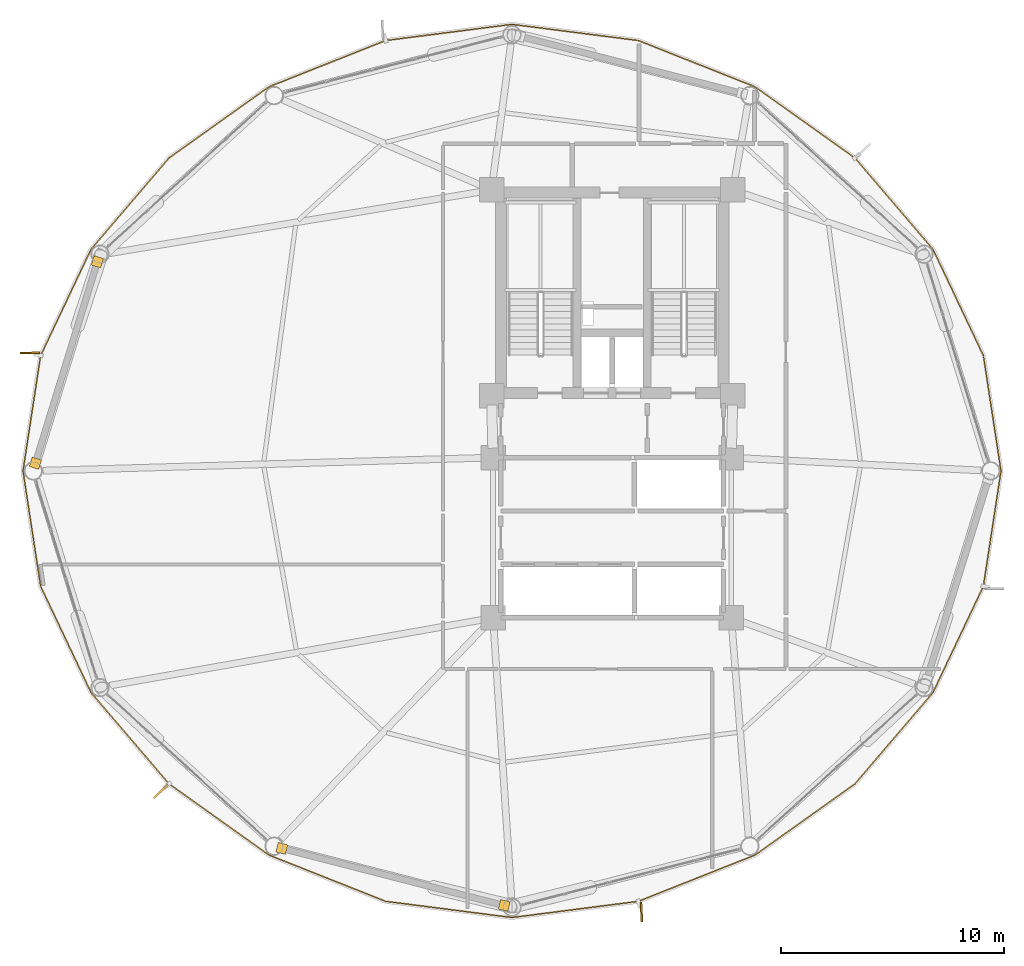
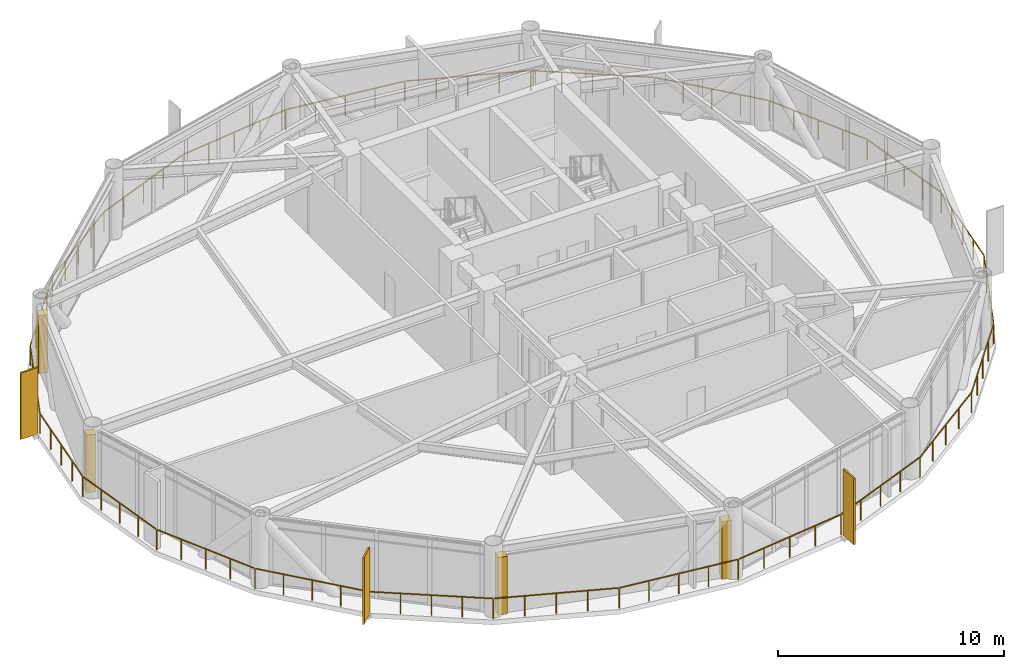
# One storey, part 21 of 23: 4 coverings, 3 shading devices, 1 railing.
"""IFC4 building model written with IfcOpenShell, lengths in metres."""

from ifc_helpers import new_model, si_unit, direction, frame, origin, origin_2d, place, context, subcontext, project, spatial, rectangle, extrude, source, transform, mapped, material, layer, layer_set, type_object, type_shapes, element, save


model = new_model("IFC4")

# Units and contexts
model_context = context("Model", 3, precision=1e-05, world=origin(), true_north=direction((0.0, 1.0)))
body_context = subcontext(model_context, "Body", "Model", "MODEL_VIEW")
ifc_project = project(units=[si_unit("LENGTHUNIT", "METRE"), si_unit("AREAUNIT", "SQUARE_METRE"), si_unit("VOLUMEUNIT", "CUBIC_METRE"), si_unit("PLANEANGLEUNIT", "RADIAN"), si_unit("MASSUNIT", "GRAM", prefix="KILO")], contexts=[model_context])

# Site, building, storey
site_placement = place(None, origin())
site = spatial("IfcSite", under=ifc_project, at=site_placement, CompositionType="ELEMENT")
building_placement = place(site_placement, origin())
building = spatial("IfcBuilding", under=site, at=building_placement, Name="Varnakorn Sky Granary", CompositionType="ELEMENT")
storey_placement = place(building_placement, frame((0.0, 0.0, 107.10009765625)))
storey = spatial("IfcBuildingStorey", under=building, at=storey_placement, Name="L26", CompositionType="ELEMENT", Elevation=107.10009765625)

# Railing
ifc_material = material(Name="Anodised Bronze Aluminium Alloy 6063-T6", Category="aluminium")
railing_type = type_object("IfcRailingType", Name="RL-BAL-1120", PredefinedType="BALUSTRADE", material=ifc_material)
railing_placement = place(storey_placement, frame((20.4658203125, 0.0, 0.0)))
element("IfcRailing", 1, at=railing_placement, inside=storey, type_object=railing_type, Name="Perimeter Slab-Edge Safety Guard L26", PredefinedType="BALUSTRADE", context=body_context, shape_type="SweptSolid", body=[
    extrude(rectangle(XDim=0.048095703125, YDim=0.048095703125, at=origin_2d()), frame((-0.004150390625, -0.027587890625, 1.09619140625), z_axis=(-0.150995661582, -0.988534425391, 0.0), x_axis=(0.988534425391, -0.150995661582, 0.0)), (0.0, 0.0, 1.0), 5.18115234375),
    extrude(rectangle(XDim=0.048095703125, YDim=0.048095703125, at=origin_2d()), frame((-0.802734375, -5.202392578125, 1.09619140625), z_axis=(-0.428252935319, -0.903658908765, 0.0), x_axis=(0.903658908765, -0.428252935319, 0.0)), (0.0, 0.0, 1.0), 5.235595703125),
    extrude(rectangle(XDim=0.048095703125, YDim=0.048095703125, at=origin_2d()), frame((-3.0751953125, -9.97998046875, 1.09619140625), z_axis=(-0.649641376814, -0.760240804963, 0.0), x_axis=(0.760240804963, -0.649641376814, 0.0)), (0.0, 0.0, 1.0), 5.332275390625),
    extrude(rectangle(XDim=0.048095703125, YDim=0.048095703125, at=origin_2d()), frame((-6.580078125, -14.071533203125, 1.09619140625), z_axis=(-0.814358241471, -0.580362519937, 0.0), x_axis=(0.580362519937, -0.814358241471, 0.0)), (0.0, 0.0, 1.0), 5.458251953125),
    extrude(rectangle(XDim=0.048095703125, YDim=0.048095703125, at=origin_2d()), frame((-11.073974609375, -17.265625, 1.09619140625), z_axis=(-0.929618558075, -0.368523183101, 0.0), x_axis=(0.368523183101, -0.929618558075, 0.0)), (0.0, 0.0, 1.0), 5.58447265625),
    extrude(rectangle(XDim=0.048095703125, YDim=0.048095703125, at=origin_2d()), frame((-16.319091796875, -19.337646484375, 1.09619140625), z_axis=(-0.991886356563, -0.127127713987, 0.0), x_axis=(0.127127713987, -0.991886356563, 0.0)), (0.0, 0.0, 1.0), 5.6650390625),
    extrude(rectangle(XDim=0.048095703125, YDim=0.048095703125, at=origin_2d()), frame((-21.99365234375, -20.0576171875, 1.09619140625), z_axis=(-0.991886356563, 0.127127713987, 0.0), x_axis=(-0.127127713987, -0.991886356563, 0.0)), (0.0, 0.0, 1.0), 5.6650390625),
    extrude(rectangle(XDim=0.048095703125, YDim=0.048095703125, at=origin_2d()), frame((-27.66650390625, -19.32373046875, 1.09619140625), z_axis=(-0.929618558075, 0.368523183101, 0.0), x_axis=(-0.368523183101, -0.929618558075, 0.0)), (0.0, 0.0, 1.0), 5.58447265625),
    extrude(rectangle(XDim=0.048095703125, YDim=0.048095703125, at=origin_2d()), frame((-32.906494140625, -17.239013671875, 1.09619140625), z_axis=(-0.814358241471, 0.580362519937, 0.0), x_axis=(-0.580362519937, -0.814358241471, 0.0)), (0.0, 0.0, 1.0), 5.458251953125),
    extrude(rectangle(XDim=0.048095703125, YDim=0.048095703125, at=origin_2d()), frame((-37.392578125, -14.033935546875, 1.09619140625), z_axis=(-0.649641376814, 0.760240804963, 0.0), x_axis=(-0.760240804963, -0.649641376814, 0.0)), (0.0, 0.0, 1.0), 5.332275390625),
    extrude(rectangle(XDim=0.048095703125, YDim=0.048095703125, at=origin_2d()), frame((-40.88671875, -9.933349609375, 1.09619140625), z_axis=(-0.428252935319, 0.903658908765, 0.0), x_axis=(-0.903658908765, -0.428252935319, 0.0)), (0.0, 0.0, 1.0), 5.235595703125),
    extrude(rectangle(XDim=0.048095703125, YDim=0.048095703125, at=origin_2d()), frame((-43.14501953125, -5.1494140625, 1.09619140625), z_axis=(-0.150995661582, 0.988534425391, 0.0), x_axis=(-0.988534425391, -0.150995661582, 0.0)), (0.0, 0.0, 1.0), 5.18115234375),
    extrude(rectangle(XDim=0.048095703125, YDim=0.048095703125, at=origin_2d()), frame((-43.927490234375, 0.027587890625, 1.09619140625), z_axis=(0.150995661582, 0.988534425391, 0.0), x_axis=(-0.988534425391, 0.150995661582, 0.0)), (0.0, 0.0, 1.0), 5.18115234375),
    extrude(rectangle(XDim=0.048095703125, YDim=0.048095703125, at=origin_2d()), frame((-43.12890625, 5.202392578125, 1.09619140625), z_axis=(0.428252935319, 0.903658908765, 0.0), x_axis=(-0.903658908765, 0.428252935319, 0.0)), (0.0, 0.0, 1.0), 5.235595703125),
    extrude(rectangle(XDim=0.048095703125, YDim=0.048095703125, at=origin_2d()), frame((-40.8564453125, 9.97998046875, 1.09619140625), z_axis=(0.649641376814, 0.760240804963, 0.0), x_axis=(-0.760240804963, 0.649641376814, 0.0)), (0.0, 0.0, 1.0), 5.332275390625),
    extrude(rectangle(XDim=0.048095703125, YDim=0.048095703125, at=origin_2d()), frame((-37.3515625, 14.071533203125, 1.09619140625), z_axis=(0.814358241471, 0.580362519937, 0.0), x_axis=(-0.580362519937, 0.814358241471, 0.0)), (0.0, 0.0, 1.0), 5.458251953125),
    extrude(rectangle(XDim=0.048095703125, YDim=0.048095703125, at=origin_2d()), frame((-32.857666015625, 17.265625, 1.09619140625), z_axis=(0.929618558075, 0.368523183101, 0.0), x_axis=(-0.368523183101, 0.929618558075, 0.0)), (0.0, 0.0, 1.0), 5.58447265625),
    extrude(rectangle(XDim=0.048095703125, YDim=0.048095703125, at=origin_2d()), frame((-27.612548828125, 19.337646484375, 1.09619140625), z_axis=(0.991886356563, 0.127127713987, 0.0), x_axis=(-0.127127713987, 0.991886356563, 0.0)), (0.0, 0.0, 1.0), 5.6650390625),
    extrude(rectangle(XDim=0.048095703125, YDim=0.048095703125, at=origin_2d()), frame((-21.93798828125, 20.0576171875, 1.09619140625), z_axis=(0.991886356563, -0.127127713987, 0.0), x_axis=(0.127127713987, 0.991886356563, 0.0)), (0.0, 0.0, 1.0), 5.6650390625),
    extrude(rectangle(XDim=0.048095703125, YDim=0.048095703125, at=origin_2d()), frame((-16.26513671875, 19.32373046875, 1.09619140625), z_axis=(0.929618558075, -0.368523183101, 0.0), x_axis=(0.368523183101, 0.929618558075, 0.0)), (0.0, 0.0, 1.0), 5.58447265625),
    extrude(rectangle(XDim=0.048095703125, YDim=0.048095703125, at=origin_2d()), frame((-11.025146484375, 17.239013671875, 1.09619140625), z_axis=(0.814358241471, -0.580362519937, 0.0), x_axis=(0.580362519937, 0.814358241471, 0.0)), (0.0, 0.0, 1.0), 5.458251953125),
    extrude(rectangle(XDim=0.048095703125, YDim=0.048095703125, at=origin_2d()), frame((-6.5390625, 14.033935546875, 1.09619140625), z_axis=(0.649641376814, -0.760240804963, 0.0), x_axis=(0.760240804963, 0.649641376814, 0.0)), (0.0, 0.0, 1.0), 5.332275390625),
    extrude(rectangle(XDim=0.048095703125, YDim=0.048095703125, at=origin_2d()), frame((-3.044921875, 9.933349609375, 1.09619140625), z_axis=(0.428252935319, -0.903658908765, 0.0), x_axis=(0.903658908765, 0.428252935319, 0.0)), (0.0, 0.0, 1.0), 5.235595703125),
    extrude(rectangle(XDim=0.048095703125, YDim=0.048095703125, at=origin_2d()), frame((-0.78662109375, 5.1494140625, 1.09619140625), z_axis=(0.150995661582, -0.988534425391, 0.0), x_axis=(0.988534425391, 0.150995661582, 0.0)), (0.0, 0.0, 1.0), 5.18115234375),
    extrude(rectangle(XDim=0.0419921875, YDim=0.0419921875, at=origin_2d()), origin(), (0.0, 0.0, 1.0), 1.068115234375),
    extrude(rectangle(XDim=0.0419921875, YDim=0.0419921875, at=origin_2d()), frame((-0.19775390625, -1.294189453125, 0.0)), (0.0, 0.0, 1.0), 1.068115234375),
    extrude(rectangle(XDim=0.0419921875, YDim=0.0419921875, at=origin_2d()), frame((-0.3955078125, -2.58837890625, 0.0)), (0.0, 0.0, 1.0), 1.068115234375),
    extrude(rectangle(XDim=0.0419921875, YDim=0.0419921875, at=origin_2d()), frame((-0.593017578125, -3.8828125, 0.0)), (0.0, 0.0, 1.0), 1.068115234375),
    extrude(rectangle(XDim=0.0419921875, YDim=0.0419921875, at=origin_2d()), frame((-0.790771484375, -5.177001953125, 0.0)), (0.0, 0.0, 1.0), 1.068115234375),
    extrude(rectangle(XDim=0.0419921875, YDim=0.0419921875, at=origin_2d()), frame((-1.357421875, -6.37255859375, 0.0)), (0.0, 0.0, 1.0), 1.068115234375),
    extrude(rectangle(XDim=0.0419921875, YDim=0.0419921875, at=origin_2d()), frame((-1.923828125, -7.56787109375, 0.0)), (0.0, 0.0, 1.0), 1.068115234375),
    extrude(rectangle(XDim=0.0419921875, YDim=0.0419921875, at=origin_2d()), frame((-2.490234375, -8.76318359375, 0.0)), (0.0, 0.0, 1.0), 1.068115234375),
    extrude(rectangle(XDim=0.0419921875, YDim=0.0419921875, at=origin_2d()), frame((-3.056884765625, -9.958740234375, 0.0)), (0.0, 0.0, 1.0), 1.068115234375),
    extrude(rectangle(XDim=0.0419921875, YDim=0.0419921875, at=origin_2d()), frame((-3.93212890625, -10.98291015625, 0.0)), (0.0, 0.0, 1.0), 1.068115234375),
    extrude(rectangle(XDim=0.0419921875, YDim=0.0419921875, at=origin_2d()), frame((-4.80712890625, -12.0068359375, 0.0)), (0.0, 0.0, 1.0), 1.068115234375),
    extrude(rectangle(XDim=0.0419921875, YDim=0.0419921875, at=origin_2d()), frame((-5.68212890625, -13.031005859375, 0.0)), (0.0, 0.0, 1.0), 1.068115234375),
    extrude(rectangle(XDim=0.0419921875, YDim=0.0419921875, at=origin_2d()), frame((-6.557373046875, -14.05517578125, 0.0)), (0.0, 0.0, 1.0), 1.068115234375),
    extrude(rectangle(XDim=0.0419921875, YDim=0.0419921875, at=origin_2d()), frame((-7.679931640625, -14.855224609375, 0.0)), (0.0, 0.0, 1.0), 1.068115234375),
    extrude(rectangle(XDim=0.0419921875, YDim=0.0419921875, at=origin_2d()), frame((-8.802734375, -15.6552734375, 0.0)), (0.0, 0.0, 1.0), 1.068115234375),
    extrude(rectangle(XDim=0.0419921875, YDim=0.0419921875, at=origin_2d()), frame((-9.92529296875, -16.455322265625, 0.0)), (0.0, 0.0, 1.0), 1.068115234375),
    extrude(rectangle(XDim=0.0419921875, YDim=0.0419921875, at=origin_2d()), frame((-11.0478515625, -17.25537109375, 0.0)), (0.0, 0.0, 1.0), 1.068115234375),
    extrude(rectangle(XDim=0.0419921875, YDim=0.0419921875, at=origin_2d()), frame((-12.358642578125, -17.77490234375, 0.0)), (0.0, 0.0, 1.0), 1.068115234375),
    extrude(rectangle(XDim=0.0419921875, YDim=0.0419921875, at=origin_2d()), frame((-13.66943359375, -18.294677734375, 0.0)), (0.0, 0.0, 1.0), 1.068115234375),
    extrude(rectangle(XDim=0.0419921875, YDim=0.0419921875, at=origin_2d()), frame((-14.98046875, -18.814453125, 0.0)), (0.0, 0.0, 1.0), 1.068115234375),
    extrude(rectangle(XDim=0.0419921875, YDim=0.0419921875, at=origin_2d()), frame((-16.291259765625, -19.333984375, 0.0)), (0.0, 0.0, 1.0), 1.068115234375),
    extrude(rectangle(XDim=0.0419921875, YDim=0.0419921875, at=origin_2d()), frame((-17.7099609375, -19.515869140625, 0.0)), (0.0, 0.0, 1.0), 1.068115234375),
    extrude(rectangle(XDim=0.0419921875, YDim=0.0419921875, at=origin_2d()), frame((-19.12841796875, -19.69775390625, 0.0)), (0.0, 0.0, 1.0), 1.068115234375),
    extrude(rectangle(XDim=0.0419921875, YDim=0.0419921875, at=origin_2d()), frame((-20.547119140625, -19.87939453125, 0.0)), (0.0, 0.0, 1.0), 1.068115234375),
    extrude(rectangle(XDim=0.0419921875, YDim=0.0419921875, at=origin_2d()), frame((-21.9658203125, -20.061279296875, 0.0)), (0.0, 0.0, 1.0), 1.068115234375),
    extrude(rectangle(XDim=0.0419921875, YDim=0.0419921875, at=origin_2d()), frame((-23.384521484375, -19.87939453125, 0.0)), (0.0, 0.0, 1.0), 1.068115234375),
    extrude(rectangle(XDim=0.0419921875, YDim=0.0419921875, at=origin_2d()), frame((-24.80322265625, -19.69775390625, 0.0)), (0.0, 0.0, 1.0), 1.068115234375),
    extrude(rectangle(XDim=0.0419921875, YDim=0.0419921875, at=origin_2d()), frame((-26.2216796875, -19.515869140625, 0.0)), (0.0, 0.0, 1.0), 1.068115234375),
    extrude(rectangle(XDim=0.0419921875, YDim=0.0419921875, at=origin_2d()), frame((-27.640380859375, -19.333984375, 0.0)), (0.0, 0.0, 1.0), 1.068115234375),
    extrude(rectangle(XDim=0.0419921875, YDim=0.0419921875, at=origin_2d()), frame((-28.951171875, -18.814453125, 0.0)), (0.0, 0.0, 1.0), 1.068115234375),
    extrude(rectangle(XDim=0.0419921875, YDim=0.0419921875, at=origin_2d()), frame((-30.26220703125, -18.294677734375, 0.0)), (0.0, 0.0, 1.0), 1.068115234375),
    extrude(rectangle(XDim=0.0419921875, YDim=0.0419921875, at=origin_2d()), frame((-31.572998046875, -17.77490234375, 0.0)), (0.0, 0.0, 1.0), 1.068115234375),
    extrude(rectangle(XDim=0.0419921875, YDim=0.0419921875, at=origin_2d()), frame((-32.8837890625, -17.25537109375, 0.0)), (0.0, 0.0, 1.0), 1.068115234375),
    extrude(rectangle(XDim=0.0419921875, YDim=0.0419921875, at=origin_2d()), frame((-34.00634765625, -16.455322265625, 0.0)), (0.0, 0.0, 1.0), 1.068115234375),
    extrude(rectangle(XDim=0.0419921875, YDim=0.0419921875, at=origin_2d()), frame((-35.12890625, -15.6552734375, 0.0)), (0.0, 0.0, 1.0), 1.068115234375),
    extrude(rectangle(XDim=0.0419921875, YDim=0.0419921875, at=origin_2d()), frame((-36.251708984375, -14.855224609375, 0.0)), (0.0, 0.0, 1.0), 1.068115234375),
    extrude(rectangle(XDim=0.0419921875, YDim=0.0419921875, at=origin_2d()), frame((-37.374267578125, -14.05517578125, 0.0)), (0.0, 0.0, 1.0), 1.068115234375),
    extrude(rectangle(XDim=0.0419921875, YDim=0.0419921875, at=origin_2d()), frame((-38.24951171875, -13.031005859375, 0.0)), (0.0, 0.0, 1.0), 1.068115234375),
    extrude(rectangle(XDim=0.0419921875, YDim=0.0419921875, at=origin_2d()), frame((-39.12451171875, -12.0068359375, 0.0)), (0.0, 0.0, 1.0), 1.068115234375),
    extrude(rectangle(XDim=0.0419921875, YDim=0.0419921875, at=origin_2d()), frame((-39.99951171875, -10.98291015625, 0.0)), (0.0, 0.0, 1.0), 1.068115234375),
    extrude(rectangle(XDim=0.0419921875, YDim=0.0419921875, at=origin_2d()), frame((-40.874755859375, -9.958740234375, 0.0)), (0.0, 0.0, 1.0), 1.068115234375),
    extrude(rectangle(XDim=0.0419921875, YDim=0.0419921875, at=origin_2d()), frame((-41.44140625, -8.76318359375, 0.0)), (0.0, 0.0, 1.0), 1.068115234375),
    extrude(rectangle(XDim=0.0419921875, YDim=0.0419921875, at=origin_2d()), frame((-42.0078125, -7.56787109375, 0.0)), (0.0, 0.0, 1.0), 1.068115234375),
    extrude(rectangle(XDim=0.0419921875, YDim=0.0419921875, at=origin_2d()), frame((-42.57421875, -6.37255859375, 0.0)), (0.0, 0.0, 1.0), 1.068115234375),
    extrude(rectangle(XDim=0.0419921875, YDim=0.0419921875, at=origin_2d()), frame((-43.140869140625, -5.177001953125, 0.0)), (0.0, 0.0, 1.0), 1.068115234375),
    extrude(rectangle(XDim=0.0419921875, YDim=0.0419921875, at=origin_2d()), frame((-43.338623046875, -3.8828125, 0.0)), (0.0, 0.0, 1.0), 1.068115234375),
    extrude(rectangle(XDim=0.0419921875, YDim=0.0419921875, at=origin_2d()), frame((-43.5361328125, -2.58837890625, 0.0)), (0.0, 0.0, 1.0), 1.068115234375),
    extrude(rectangle(XDim=0.0419921875, YDim=0.0419921875, at=origin_2d()), frame((-43.73388671875, -1.294189453125, 0.0)), (0.0, 0.0, 1.0), 1.068115234375),
    extrude(rectangle(XDim=0.0419921875, YDim=0.0419921875, at=origin_2d()), frame((-43.931640625, 0.0, 0.0)), (0.0, 0.0, 1.0), 1.068115234375),
    extrude(rectangle(XDim=0.0419921875, YDim=0.0419921875, at=origin_2d()), frame((-43.73388671875, 1.294189453125, 0.0)), (0.0, 0.0, 1.0), 1.068115234375),
    extrude(rectangle(XDim=0.0419921875, YDim=0.0419921875, at=origin_2d()), frame((-43.5361328125, 2.58837890625, 0.0)), (0.0, 0.0, 1.0), 1.068115234375),
    extrude(rectangle(XDim=0.0419921875, YDim=0.0419921875, at=origin_2d()), frame((-43.338623046875, 3.8828125, 0.0)), (0.0, 0.0, 1.0), 1.068115234375),
    extrude(rectangle(XDim=0.0419921875, YDim=0.0419921875, at=origin_2d()), frame((-43.140869140625, 5.177001953125, 0.0)), (0.0, 0.0, 1.0), 1.068115234375),
    extrude(rectangle(XDim=0.0419921875, YDim=0.0419921875, at=origin_2d()), frame((-42.57421875, 6.37255859375, 0.0)), (0.0, 0.0, 1.0), 1.068115234375),
    extrude(rectangle(XDim=0.0419921875, YDim=0.0419921875, at=origin_2d()), frame((-42.0078125, 7.56787109375, 0.0)), (0.0, 0.0, 1.0), 1.068115234375),
    extrude(rectangle(XDim=0.0419921875, YDim=0.0419921875, at=origin_2d()), frame((-41.44140625, 8.76318359375, 0.0)), (0.0, 0.0, 1.0), 1.068115234375),
    extrude(rectangle(XDim=0.0419921875, YDim=0.0419921875, at=origin_2d()), frame((-40.874755859375, 9.958740234375, 0.0)), (0.0, 0.0, 1.0), 1.068115234375),
    extrude(rectangle(XDim=0.0419921875, YDim=0.0419921875, at=origin_2d()), frame((-39.99951171875, 10.98291015625, 0.0)), (0.0, 0.0, 1.0), 1.068115234375),
    extrude(rectangle(XDim=0.0419921875, YDim=0.0419921875, at=origin_2d()), frame((-39.12451171875, 12.0068359375, 0.0)), (0.0, 0.0, 1.0), 1.068115234375),
    extrude(rectangle(XDim=0.0419921875, YDim=0.0419921875, at=origin_2d()), frame((-38.24951171875, 13.031005859375, 0.0)), (0.0, 0.0, 1.0), 1.068115234375),
    extrude(rectangle(XDim=0.0419921875, YDim=0.0419921875, at=origin_2d()), frame((-37.374267578125, 14.05517578125, 0.0)), (0.0, 0.0, 1.0), 1.068115234375),
    extrude(rectangle(XDim=0.0419921875, YDim=0.0419921875, at=origin_2d()), frame((-36.251708984375, 14.855224609375, 0.0)), (0.0, 0.0, 1.0), 1.068115234375),
    extrude(rectangle(XDim=0.0419921875, YDim=0.0419921875, at=origin_2d()), frame((-35.12890625, 15.6552734375, 0.0)), (0.0, 0.0, 1.0), 1.068115234375),
    extrude(rectangle(XDim=0.0419921875, YDim=0.0419921875, at=origin_2d()), frame((-34.00634765625, 16.455322265625, 0.0)), (0.0, 0.0, 1.0), 1.068115234375),
    extrude(rectangle(XDim=0.0419921875, YDim=0.0419921875, at=origin_2d()), frame((-32.8837890625, 17.25537109375, 0.0)), (0.0, 0.0, 1.0), 1.068115234375),
    extrude(rectangle(XDim=0.0419921875, YDim=0.0419921875, at=origin_2d()), frame((-31.572998046875, 17.77490234375, 0.0)), (0.0, 0.0, 1.0), 1.068115234375),
    extrude(rectangle(XDim=0.0419921875, YDim=0.0419921875, at=origin_2d()), frame((-30.26220703125, 18.294677734375, 0.0)), (0.0, 0.0, 1.0), 1.068115234375),
    extrude(rectangle(XDim=0.0419921875, YDim=0.0419921875, at=origin_2d()), frame((-28.951171875, 18.814453125, 0.0)), (0.0, 0.0, 1.0), 1.068115234375),
    extrude(rectangle(XDim=0.0419921875, YDim=0.0419921875, at=origin_2d()), frame((-27.640380859375, 19.333984375, 0.0)), (0.0, 0.0, 1.0), 1.068115234375),
    extrude(rectangle(XDim=0.0419921875, YDim=0.0419921875, at=origin_2d()), frame((-26.2216796875, 19.515869140625, 0.0)), (0.0, 0.0, 1.0), 1.068115234375),
    extrude(rectangle(XDim=0.0419921875, YDim=0.0419921875, at=origin_2d()), frame((-24.80322265625, 19.69775390625, 0.0)), (0.0, 0.0, 1.0), 1.068115234375),
    extrude(rectangle(XDim=0.0419921875, YDim=0.0419921875, at=origin_2d()), frame((-23.384521484375, 19.87939453125, 0.0)), (0.0, 0.0, 1.0), 1.068115234375),
    extrude(rectangle(XDim=0.0419921875, YDim=0.0419921875, at=origin_2d()), frame((-21.9658203125, 20.061279296875, 0.0)), (0.0, 0.0, 1.0), 1.068115234375),
    extrude(rectangle(XDim=0.0419921875, YDim=0.0419921875, at=origin_2d()), frame((-20.547119140625, 19.87939453125, 0.0)), (0.0, 0.0, 1.0), 1.068115234375),
    extrude(rectangle(XDim=0.0419921875, YDim=0.0419921875, at=origin_2d()), frame((-19.12841796875, 19.69775390625, 0.0)), (0.0, 0.0, 1.0), 1.068115234375),
    extrude(rectangle(XDim=0.0419921875, YDim=0.0419921875, at=origin_2d()), frame((-17.7099609375, 19.515869140625, 0.0)), (0.0, 0.0, 1.0), 1.068115234375),
    extrude(rectangle(XDim=0.0419921875, YDim=0.0419921875, at=origin_2d()), frame((-16.291259765625, 19.333984375, 0.0)), (0.0, 0.0, 1.0), 1.068115234375),
    extrude(rectangle(XDim=0.0419921875, YDim=0.0419921875, at=origin_2d()), frame((-14.98046875, 18.814453125, 0.0)), (0.0, 0.0, 1.0), 1.068115234375),
    extrude(rectangle(XDim=0.0419921875, YDim=0.0419921875, at=origin_2d()), frame((-13.66943359375, 18.294677734375, 0.0)), (0.0, 0.0, 1.0), 1.068115234375),
    extrude(rectangle(XDim=0.0419921875, YDim=0.0419921875, at=origin_2d()), frame((-12.358642578125, 17.77490234375, 0.0)), (0.0, 0.0, 1.0), 1.068115234375),
    extrude(rectangle(XDim=0.0419921875, YDim=0.0419921875, at=origin_2d()), frame((-11.0478515625, 17.25537109375, 0.0)), (0.0, 0.0, 1.0), 1.068115234375),
    extrude(rectangle(XDim=0.0419921875, YDim=0.0419921875, at=origin_2d()), frame((-9.92529296875, 16.455322265625, 0.0)), (0.0, 0.0, 1.0), 1.068115234375),
    extrude(rectangle(XDim=0.0419921875, YDim=0.0419921875, at=origin_2d()), frame((-8.802734375, 15.6552734375, 0.0)), (0.0, 0.0, 1.0), 1.068115234375),
    extrude(rectangle(XDim=0.0419921875, YDim=0.0419921875, at=origin_2d()), frame((-7.679931640625, 14.855224609375, 0.0)), (0.0, 0.0, 1.0), 1.068115234375),
    extrude(rectangle(XDim=0.0419921875, YDim=0.0419921875, at=origin_2d()), frame((-6.557373046875, 14.05517578125, 0.0)), (0.0, 0.0, 1.0), 1.068115234375),
    extrude(rectangle(XDim=0.0419921875, YDim=0.0419921875, at=origin_2d()), frame((-5.68212890625, 13.031005859375, 0.0)), (0.0, 0.0, 1.0), 1.068115234375),
    extrude(rectangle(XDim=0.0419921875, YDim=0.0419921875, at=origin_2d()), frame((-4.80712890625, 12.0068359375, 0.0)), (0.0, 0.0, 1.0), 1.068115234375),
    extrude(rectangle(XDim=0.0419921875, YDim=0.0419921875, at=origin_2d()), frame((-3.93212890625, 10.98291015625, 0.0)), (0.0, 0.0, 1.0), 1.068115234375),
    extrude(rectangle(XDim=0.0419921875, YDim=0.0419921875, at=origin_2d()), frame((-3.056884765625, 9.958740234375, 0.0)), (0.0, 0.0, 1.0), 1.068115234375),
    extrude(rectangle(XDim=0.0419921875, YDim=0.0419921875, at=origin_2d()), frame((-2.490234375, 8.76318359375, 0.0)), (0.0, 0.0, 1.0), 1.068115234375),
    extrude(rectangle(XDim=0.0419921875, YDim=0.0419921875, at=origin_2d()), frame((-1.923828125, 7.56787109375, 0.0)), (0.0, 0.0, 1.0), 1.068115234375),
    extrude(rectangle(XDim=0.0419921875, YDim=0.0419921875, at=origin_2d()), frame((-1.357421875, 6.37255859375, 0.0)), (0.0, 0.0, 1.0), 1.068115234375),
    extrude(rectangle(XDim=0.0419921875, YDim=0.0419921875, at=origin_2d()), frame((-0.790771484375, 5.177001953125, 0.0)), (0.0, 0.0, 1.0), 1.068115234375),
    extrude(rectangle(XDim=0.0419921875, YDim=0.0419921875, at=origin_2d()), frame((-0.593017578125, 3.8828125, 0.0)), (0.0, 0.0, 1.0), 1.068115234375),
    extrude(rectangle(XDim=0.0419921875, YDim=0.0419921875, at=origin_2d()), frame((-0.3955078125, 2.58837890625, 0.0)), (0.0, 0.0, 1.0), 1.068115234375),
    extrude(rectangle(XDim=0.0419921875, YDim=0.0419921875, at=origin_2d()), frame((-0.19775390625, 1.294189453125, 0.0)), (0.0, 0.0, 1.0), 1.068115234375),
])

# Shading devices
shading_device_type = type_object("IfcShadingDeviceType", Name="SH-FIN-01", PredefinedType="USERDEFINED", material=ifc_material)
shared_shape_1 = source(origin(), body_context, "Body", "SweptSolid", [
    extrude(rectangle(XDim=0.0849609375, YDim=0.8798828125, at=origin_2d()), origin(), (0.0, 0.0, 1.0), 3.60009765625),
])
type_shapes(shading_device_type, [shared_shape_1])
for number, where, z_axis, x_axis, name in (
    (2, (-23.160888671875, 5.29931640625, -0.0400390625), (0.0, 0.0, 1.0), (0.007782761471, -0.999969713853, 0.0), "Bronze Solar-Tracking Vertical Blade FIN L26-06"),
    (3, (-17.275634765625, -14.39501953125, -0.0400390625), (0.0, 0.0, 1.0), (0.692662416347, -0.721261933683, 0.0), "Bronze Solar-Tracking Vertical Blade FIN L26-08"),
    (4, (4.315185546875, -19.814697265625, -0.0400390625), (0.0, 0.0, 1.0), (0.998725205645, 0.050477357399, 0.0), "Bronze Solar-Tracking Vertical Blade FIN L26-10"),
):
    element("IfcShadingDevice", number, at=place(storey_placement, frame(where, z_axis=z_axis, x_axis=x_axis)), inside=storey, type_object=shading_device_type, Name=name, ObjectType="FIN", PredefinedType="USERDEFINED", context=body_context, shape_type="MappedRepresentation", body=[
        mapped(shared_shape_1, transform((0.0, 0.0, 0.0), x_axis=(1.0, 0.0, 0.0), y_axis=(0.0, 1.0, 0.0), z_axis=(0.0, 0.0, 1.0), scale=1.0)),
    ])

# Coverings
ifc_layer = layer(ifc_material, 0.050048828125, Name="Anodised Bronze Aluminium Alloy 6063-T6")
ifc_layer_set = layer_set([ifc_layer], Name="Anodised Bronze Aluminium Alloy 6063-T6")
covering_type = type_object("IfcCoveringType", Name="CV-CLAD-50", PredefinedType="CLADDING", material=ifc_layer_set)
shared_shape_2 = source(origin(), body_context, "Body", "SweptSolid", [
    extrude(rectangle(XDim=0.43994140625, YDim=0.43994140625, at=origin_2d()), origin(), (0.0, 0.0, 1.0), 3.1298828125),
])
type_shapes(covering_type, [shared_shape_2])
for number, where, z_axis, x_axis, name in (
    (5, (-22.91064453125, 0.345458984375, -0.02001953125), (0.0, 0.0, 1.0), (0.294373942013, 0.955690317134, 0.0), "Bronze Corner Pilaster Closure L26-P06-A"),
    (6, (-20.123779296875, 9.39306640625, -0.02001953125), (0.0, 0.0, 1.0), (0.294373942013, 0.955690317134, 0.0), "Bronze Corner Pilaster Closure L26-P06-B"),
    (7, (-1.85009765625, -19.522216796875, -0.02001953125), (0.0, 0.0, 1.0), (-0.968583161129, 0.248689887165, 0.0), "Bronze Corner Pilaster Closure L26-P09-A"),
    (8, (-11.8408203125, -16.95751953125, -0.02001953125), (0.0, 0.0, 1.0), (-0.968583161129, 0.248689887165, 0.0), "Bronze Corner Pilaster Closure L26-P09-B"),
):
    element("IfcCovering", number, at=place(storey_placement, frame(where, z_axis=z_axis, x_axis=x_axis)), inside=storey, type_object=covering_type, Name=name, PredefinedType="CLADDING", context=body_context, shape_type="MappedRepresentation", body=[
        mapped(shared_shape_2, transform((0.0, 0.0, 0.0), x_axis=(1.0, 0.0, 0.0), y_axis=(0.0, 1.0, 0.0), z_axis=(0.0, 0.0, 1.0), scale=1.0)),
    ])

save(model, "model.ifc")
